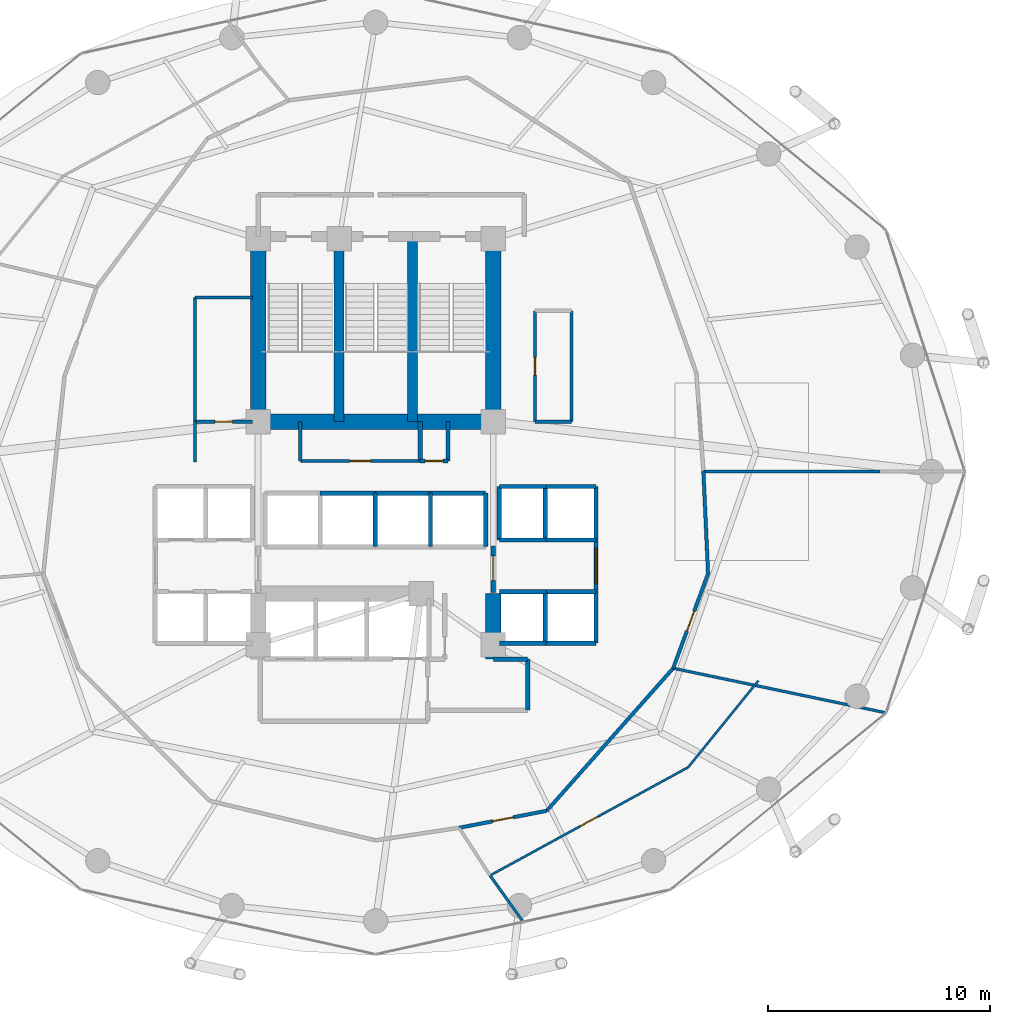
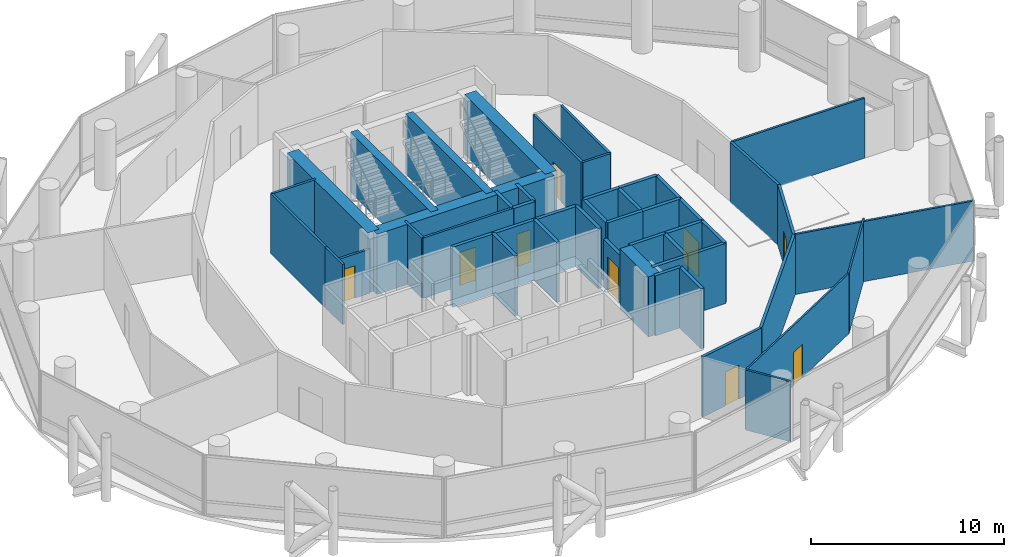
# One storey, part 22 of 24: 50 walls, 9 doors, 9 openings.
"""IFC4 building model written with IfcOpenShell, lengths in metres."""

from ifc_helpers import new_model, si_unit, direction, frame, frame_2d, origin, place, context, subcontext, project, spatial, rectangle, extrude, material, layer, layer_set, type_object, element, fill, save


model = new_model("IFC4")

# Units and contexts
model_context = context("Model", 3, precision=1e-05, world=origin(), true_north=direction((0.0, 1.0)))
body_context = subcontext(model_context, "Body", "Model", "MODEL_VIEW")
ifc_project = project(units=[si_unit("LENGTHUNIT", "METRE"), si_unit("AREAUNIT", "SQUARE_METRE"), si_unit("VOLUMEUNIT", "CUBIC_METRE"), si_unit("PLANEANGLEUNIT", "RADIAN"), si_unit("MASSUNIT", "GRAM", prefix="KILO")], contexts=[model_context])

# Site, building, storey
site_placement = place(None, origin())
site = spatial("IfcSite", under=ifc_project, at=site_placement, CompositionType="ELEMENT")
building_placement = place(site_placement, origin())
building = spatial("IfcBuilding", under=site, at=building_placement, Name="Nuhasar Tower", CompositionType="ELEMENT")
storey_placement = place(building_placement, frame((0.0, 0.0, 85.800048828125)))
storey = spatial("IfcBuildingStorey", under=building, at=storey_placement, Name="L20", CompositionType="ELEMENT", Elevation=85.800048828125)

# Walls
ifc_material_1 = material(Name="Concrete C50/60", Category="concrete")
ifc_layer_1 = layer(ifc_material_1, 0.449951171875)
ifc_layer_set_1 = layer_set([ifc_layer_1], Name="Concrete C50/60")
wall_type_1 = type_object("IfcWallType", Name="WL-CORE-450", PredefinedType="SHEAR", material=ifc_layer_set_1)
for number, where, z_axis, x_axis, name in (
    (1, (37.35009765625, 29.050048828125, 0.0), (0.0, 0.0, 1.0), (0.0, 1.0, 0.0), "L20 Stairwell Shear Wall ST01-E"),
    (2, (40.64990234375, 29.050048828125, 0.0), (0.0, 0.0, 1.0), (0.0, 1.0, 0.0), "L20 Stairwell Shear Wall ST03-E"),
):
    element("IfcWall", number, at=place(storey_placement, frame(where, z_axis=z_axis, x_axis=x_axis)), inside=storey, type_object=wall_type_1, Name=name, PredefinedType="SHEAR", context=body_context, shape_type="SweptSolid", body=[
        extrude(rectangle(XDim=8.349853515625, YDim=0.449951171875, at=frame_2d((4.1748046875, 0.0))), origin(), (0.0, 0.0, 1.0), 3.800048828125),
    ])
ifc_material_2 = material(Name="Concrete C65/80", Category="concrete")
ifc_layer_2 = layer(ifc_material_2, 0.699951171875)
ifc_layer_set_2 = layer_set([ifc_layer_2], Name="Concrete C65/80")
wall_type_2 = type_object("IfcWallType", Name="WL-CORE-700", PredefinedType="SHEAR", material=ifc_layer_set_2)
for number, where, z_axis, x_axis, name in (
    (3, (33.699951171875, 29.050048828125, 0.0), (0.0, 0.0, 1.0), (0.0, 1.0, 0.0), "L20 Core Shear Wall CW-NW CW-700"),
    (4, (44.300048828125, 29.050048828125, 0.0), (0.0, 0.0, 1.0), (0.0, 1.0, 0.0), "L20 Core Shear Wall CW-NE CW-700"),
):
    element("IfcWall", number, at=place(storey_placement, frame(where, z_axis=z_axis, x_axis=x_axis)), inside=storey, type_object=wall_type_2, Name=name, PredefinedType="SHEAR", context=body_context, shape_type="SweptSolid", body=[
        extrude(rectangle(XDim=8.349853515625, YDim=0.699951171875, at=frame_2d((4.1748046875, 0.0))), origin(), (0.0, 0.0, 1.0), 3.800048828125),
    ])
wall_1_placement = place(storey_placement, frame((44.300048828125, 18.35009765625, 0.0), z_axis=(0.0, 0.0, 1.0), x_axis=(0.0, 1.0, 0.0)))
element("IfcWall", 5, at=wall_1_placement, inside=storey, type_object=wall_type_2, Name="L20 Core Shear Wall CW-SE CW-700", PredefinedType="SHEAR", context=body_context, shape_type="SweptSolid", body=[
    extrude(rectangle(XDim=2.949951171875, YDim=0.699951171875, at=frame_2d((1.47509765625, 0.0))), origin(), (0.0, 0.0, 1.0), 3.800048828125),
])
wall_2_placement = place(storey_placement, frame((33.699951171875, 29.050048828125, 0.0), z_axis=(0.0, 0.0, 1.0), x_axis=(1.0, 0.0, 0.0)))
element("IfcWall", 6, at=wall_2_placement, inside=storey, type_object=wall_type_2, Name="L20 Core Shear Wall CW-N1 CW-700", PredefinedType="SHEAR", context=body_context, shape_type="SweptSolid", body=[
    extrude(rectangle(XDim=10.60009765625, YDim=0.699951171875, at=frame_2d((5.300048828125, 0.0))), origin(), (0.0, 0.0, 1.0), 3.800048828125),
])

# Wall, opening, door
ifc_material_3 = material(Name="Gypsum Board", Category="gypsum")
ifc_layer_3 = layer(ifc_material_3, 0.159912109375)
ifc_layer_set_3 = layer_set([ifc_layer_3], Name="Gypsum Board")
wall_type_3 = type_object("IfcWallType", Name="WL-CORR-160", PredefinedType="PARTITIONING", material=ifc_layer_set_3)
wall_3_placement = place(storey_placement, frame((46.7099609375, 11.513916015625, 0.0), z_axis=(0.0, 0.0, 1.0), x_axis=(-0.981643469131, -0.1907251937, 0.0)))
wall_3 = element("IfcWall", 7, at=wall_3_placement, inside=storey, type_object=wall_type_3, Name="L20 Interior Partition CORR-38", PredefinedType="PARTITIONING", context=body_context, shape_type="SweptSolid", body=[
    extrude(rectangle(XDim=4.02587890625, YDim=0.159912109375, at=frame_2d((2.012939453125, 0.0))), origin(), (0.0, 0.0, 1.0), 3.800048828125),
])
opening_1_placement = place(wall_3_placement, frame((1.5380859375, 0.0, 0.0)))
opening_1 = element("IfcOpeningElement", 8, at=opening_1_placement, cuts=wall_3, Name="Opening DO-01", PredefinedType="OPENING", context=body_context, shape_type="SweptSolid", body=[
    extrude(rectangle(XDim=0.949951171875, YDim=2.14990234375, at=frame_2d((0.47509765625, 1.074951171875))), frame((0.0, 0.08984375, 0.0), z_axis=(0.0, -1.0, 0.0), x_axis=(1.0, 0.0, 0.0)), (0.0, 0.0, 1.0), 0.179931640625),
])
ifc_material_4 = material(Name="Timber Oak", Category="wood")
door_type_1 = type_object("IfcDoorType", Name="DR-OFFICE-FD30-950", OperationType="NOTDEFINED", PredefinedType="DOOR", material=ifc_material_4)
door_1_placement = place(opening_1_placement, origin())
door_1 = element("IfcDoor", 9, at=door_1_placement, inside=storey, type_object=door_type_1, Name="L20 Press Briefing Room Entry Door", OperationType="SINGLE_SWING_LEFT", OverallHeight=2.14990234375, OverallWidth=0.949951171875, PredefinedType="DOOR", context=body_context, shape_type="SweptSolid", body=[
    extrude(rectangle(XDim=0.949951171875, YDim=2.14990234375, at=frame_2d((0.47509765625, 1.074951171875))), frame((0.0, 0.02490234375, 0.0), z_axis=(0.0, -1.0, 0.0), x_axis=(1.0, 0.0, 0.0)), (0.0, 0.0, 1.0), 0.050048828125),
])
fill(opening_1, door_1)

# Wall
wall_4_placement = place(storey_placement, frame((46.7099609375, 11.513916015625, 0.0), z_axis=(0.0, 0.0, 1.0), x_axis=(0.663571234799, 0.74811310398, 0.0)))
element("IfcWall", 10, at=wall_4_placement, inside=storey, type_object=wall_type_3, Name="L20 Interior Partition CORR-40", PredefinedType="PARTITIONING", context=body_context, shape_type="SweptSolid", body=[
    extrude(rectangle(XDim=8.58837890625, YDim=0.159912109375, at=frame_2d((4.294189453125, 0.0))), origin(), (0.0, 0.0, 1.0), 3.800048828125),
])

# Wall, opening, door
wall_5_placement = place(storey_placement, frame((53.98095703125, 22.205078125, 0.0), z_axis=(0.0, 0.0, 1.0), x_axis=(-0.345762592588, -0.938322028712, 0.0)))
wall_5 = element("IfcWall", 11, at=wall_5_placement, inside=storey, type_object=wall_type_3, Name="L20 Interior Partition CORR-44", PredefinedType="PARTITIONING", context=body_context, shape_type="SweptSolid", body=[
    extrude(rectangle(XDim=4.546630859375, YDim=0.159912109375, at=frame_2d((2.2734375, 0.0))), origin(), (0.0, 0.0, 1.0), 3.800048828125),
])
opening_2_placement = place(wall_5_placement, frame((1.798095703125, 0.0, 0.0)))
opening_2 = element("IfcOpeningElement", 12, at=opening_2_placement, cuts=wall_5, Name="Opening DO-01", PredefinedType="OPENING", context=body_context, shape_type="SweptSolid", body=[
    extrude(rectangle(XDim=0.949951171875, YDim=2.14990234375, at=frame_2d((0.47509765625, 1.074951171875))), frame((0.0, 0.08984375, 0.0), z_axis=(0.0, -1.0, 0.0), x_axis=(1.0, 0.0, 0.0)), (0.0, 0.0, 1.0), 0.179931640625),
])
door_2_placement = place(opening_2_placement, origin())
door_2 = element("IfcDoor", 13, at=door_2_placement, inside=storey, type_object=door_type_1, Name="L20 Diplomatic Registry Store Entry Door", OperationType="SINGLE_SWING_LEFT", OverallHeight=2.14990234375, OverallWidth=0.949951171875, PredefinedType="DOOR", context=body_context, shape_type="SweptSolid", body=[
    extrude(rectangle(XDim=0.949951171875, YDim=2.14990234375, at=frame_2d((0.47509765625, 1.074951171875))), frame((0.0, 0.02490234375, 0.0), z_axis=(0.0, -1.0, 0.0), x_axis=(1.0, 0.0, 0.0)), (0.0, 0.0, 1.0), 0.050048828125),
])
fill(opening_2, door_2)

# Wall
wall_6_placement = place(storey_placement, frame((53.98095703125, 22.205078125, 0.0), z_axis=(0.0, 0.0, 1.0), x_axis=(-0.045857874173, 0.998947974309, 0.0)))
element("IfcWall", 14, at=wall_6_placement, inside=storey, type_object=wall_type_3, Name="L20 Interior Partition CORR-46", PredefinedType="PARTITIONING", context=body_context, shape_type="SweptSolid", body=[
    extrude(rectangle(XDim=4.599853515625, YDim=0.159912109375, at=frame_2d((2.2998046875, 0.0))), origin(), (0.0, 0.0, 1.0), 3.800048828125),
])

# Wall, opening, door
ifc_material_5 = material(Name="Concrete C45/55", Category="concrete")
ifc_layer_4 = layer(ifc_material_5, 0.199951171875)
ifc_layer_set_4 = layer_set([ifc_layer_4], Name="Concrete C45/55")
wall_type_4 = type_object("IfcWallType", Name="WL-LOBBY-200", PredefinedType="SOLIDWALL", material=ifc_layer_set_4)
wall_7_placement = place(storey_placement, frame((48.929931640625, 21.3798828125, 0.0), z_axis=(0.0, 0.0, 1.0), x_axis=(0.0, 1.0, 0.0)))
wall_7 = element("IfcWall", 15, at=wall_7_placement, inside=storey, type_object=wall_type_4, Name="L20 Interior Partition LLBM-E", PredefinedType="SOLIDWALL", context=body_context, shape_type="SweptSolid", body=[
    extrude(rectangle(XDim=2.340087890625, YDim=0.199951171875, at=frame_2d((1.169921875, 0.0))), origin(), (0.0, 0.0, 1.0), 3.800048828125),
])
opening_3_placement = place(wall_7_placement, frame((0.3701171875, 0.0, 0.0)))
opening_3 = element("IfcOpeningElement", 16, at=opening_3_placement, cuts=wall_7, Name="Opening DC-01", PredefinedType="OPENING", context=body_context, shape_type="SweptSolid", body=[
    extrude(rectangle(XDim=1.60009765625, YDim=2.199951171875, at=frame_2d((0.800048828125, 1.10009765625))), frame((0.0, 0.10986328125, 0.0), z_axis=(0.0, -1.0, 0.0), x_axis=(1.0, 0.0, 0.0)), (0.0, 0.0, 1.0), 0.219970703125),
])
ifc_material_6 = material(Name="Steel S355", Category="steel")
door_type_2 = type_object("IfcDoorType", Name="DR-CORR-FD60-1600", OperationType="DOUBLE_DOOR_SINGLE_SWING", PredefinedType="DOOR", material=ifc_material_6)
door_3_placement = place(opening_3_placement, origin())
door_3 = element("IfcDoor", 17, at=door_3_placement, inside=storey, type_object=door_type_2, Name="L20 Mid-Rise Lift Lobby East Entry", OperationType="DOUBLE_DOOR_SINGLE_SWING", OverallHeight=2.199951171875, OverallWidth=1.60009765625, PredefinedType="DOOR", context=body_context, shape_type="SweptSolid", body=[
    extrude(rectangle(XDim=1.60009765625, YDim=2.199951171875, at=frame_2d((0.800048828125, 1.10009765625))), frame((0.0, 0.02490234375, 0.0), z_axis=(0.0, -1.0, 0.0), x_axis=(1.0, 0.0, 0.0)), (0.0, 0.0, 1.0), 0.050048828125),
])
fill(opening_3, door_3)

wall_8_placement = place(storey_placement, frame((44.300048828125, 21.35009765625, 0.0), z_axis=(0.0, 0.0, 1.0), x_axis=(0.0, 1.0, 0.0)))
wall_8 = element("IfcWall", 18, at=wall_8_placement, inside=storey, type_object=wall_type_4, Name="L20 Interior Partition LLBH-E", PredefinedType="SOLIDWALL", context=body_context, shape_type="SweptSolid", body=[
    extrude(rectangle(XDim=2.099853515625, YDim=0.199951171875, at=frame_2d((1.0498046875, 0.0))), origin(), (0.0, 0.0, 1.0), 3.02001953125),
])
opening_4_placement = place(wall_8_placement, frame((0.550048828125, 0.0, 0.0)))
opening_4 = element("IfcOpeningElement", 19, at=opening_4_placement, cuts=wall_8, Name="Opening DS-02", PredefinedType="OPENING", context=body_context, shape_type="SweptSolid", body=[
    extrude(rectangle(XDim=1.10009765625, YDim=2.14990234375, at=frame_2d((0.550048828125, 1.074951171875))), frame((0.0, 0.10986328125, 0.0), z_axis=(0.0, -1.0, 0.0), x_axis=(1.0, 0.0, 0.0)), (0.0, 0.0, 1.0), 0.219970703125),
])
door_type_3 = type_object("IfcDoorType", Name="DR-FFL-FD120-1100", OperationType="NOTDEFINED", PredefinedType="DOOR", material=ifc_material_6)
door_4_placement = place(opening_4_placement, origin())
door_4 = element("IfcDoor", 20, at=door_4_placement, inside=storey, type_object=door_type_3, Name="L20 High-Rise Lobby East Door", OperationType="SINGLE_SWING_RIGHT", OverallHeight=2.14990234375, OverallWidth=1.10009765625, PredefinedType="DOOR", context=body_context, shape_type="SweptSolid", body=[
    extrude(rectangle(XDim=1.10009765625, YDim=2.14990234375, at=frame_2d((0.550048828125, 1.074951171875))), frame((0.0, 0.02490234375, 0.0), z_axis=(0.0, -1.0, 0.0), x_axis=(1.0, 0.0, 0.0)), (0.0, 0.0, 1.0), 0.050048828125),
])
fill(opening_4, door_4)

# Walls
wall_9_placement = place(storey_placement, frame((45.85009765625, 16.050048828125, 0.0), z_axis=(0.0, 0.0, 1.0), x_axis=(0.0, 1.0, 0.0)))
element("IfcWall", 21, at=wall_9_placement, inside=storey, type_object=wall_type_4, Name="L20 Interior Partition SVLV-E", PredefinedType="SOLIDWALL", context=body_context, shape_type="SweptSolid", body=[
    extrude(rectangle(XDim=2.300048828125, YDim=0.199951171875, at=frame_2d((1.14990234375, 0.0))), origin(), (0.0, 0.0, 1.0), 3.800048828125),
])
wall_10_placement = place(storey_placement, frame((44.300048828125, 18.35009765625, 0.0), z_axis=(0.0, 0.0, 1.0), x_axis=(1.0, 0.0, 0.0)))
element("IfcWall", 22, at=wall_10_placement, inside=storey, type_object=wall_type_4, Name="L20 Interior Partition SVLV-N", PredefinedType="SOLIDWALL", context=body_context, shape_type="SweptSolid", body=[
    extrude(rectangle(XDim=1.550048828125, YDim=0.199951171875, at=frame_2d((0.77490234375, 0.0))), origin(), (0.0, 0.0, 1.0), 3.800048828125),
])

# Wall, opening, door
ifc_material_7 = material(Name="Aluminium 6063-T6", Category="aluminium")
ifc_layer_5 = layer(ifc_material_7, 0.10009765625)
ifc_layer_set_5 = layer_set([ifc_layer_5], Name="Aluminium 6063-T6")
wall_type_5 = type_object("IfcWallType", Name="WL-MOVABLE-100", PredefinedType="MOVABLE", material=ifc_layer_set_5)
wall_11_placement = place(storey_placement, frame((53.083984375, 13.47509765625, 0.0), z_axis=(0.0, 0.0, 1.0), x_axis=(-0.877612050375, -0.479371556349, 0.0)))
wall_11 = element("IfcWall", 23, at=wall_11_placement, inside=storey, type_object=wall_type_5, Name="L20 Interior Partition OMID-05-38", PredefinedType="MOVABLE", context=body_context, shape_type="SweptSolid", body=[
    extrude(rectangle(XDim=10.174072265625, YDim=0.10009765625, at=frame_2d((5.0869140625, 0.0))), origin(), (0.0, 0.0, 1.0), 3.800048828125),
])
opening_5_placement = place(wall_11_placement, frame((4.636962890625, 0.0, 0.0)))
opening_5 = element("IfcOpeningElement", 24, at=opening_5_placement, cuts=wall_11, Name="Opening DR-01", PredefinedType="OPENING", context=body_context, shape_type="SweptSolid", body=[
    extrude(rectangle(XDim=0.89990234375, YDim=2.10009765625, at=frame_2d((0.449951171875, 1.050048828125))), frame((0.0, 0.06005859375, 0.0), z_axis=(0.0, -1.0, 0.0), x_axis=(1.0, 0.0, 0.0)), (0.0, 0.0, 1.0), 0.1201171875),
])
door_type_4 = type_object("IfcDoorType", Name="DR-ROOM-900", OperationType="NOTDEFINED", PredefinedType="DOOR", material=ifc_material_4)
door_5_placement = place(opening_5_placement, origin())
door_5 = element("IfcDoor", 25, at=door_5_placement, inside=storey, type_object=door_type_4, Name="L20 Press Briefing Room Inner Door", OperationType="SINGLE_SWING_LEFT", OverallHeight=2.10009765625, OverallWidth=0.89990234375, PredefinedType="DOOR", context=body_context, shape_type="SweptSolid", body=[
    extrude(rectangle(XDim=0.89990234375, YDim=2.10009765625, at=frame_2d((0.449951171875, 1.050048828125))), frame((0.0, 0.02490234375, 0.0), z_axis=(0.0, -1.0, 0.0), x_axis=(1.0, 0.0, 0.0)), (0.0, 0.0, 1.0), 0.050048828125),
])
fill(opening_5, door_5)

# Walls
wall_12_placement = place(storey_placement, frame((53.083984375, 13.47509765625, 0.0), z_axis=(0.0, 0.0, 1.0), x_axis=(0.62987167678, 0.776699215134, 0.0)))
element("IfcWall", 26, at=wall_12_placement, inside=storey, type_object=wall_type_5, Name="L20 Interior Partition OMID-05-42", PredefinedType="MOVABLE", context=body_context, shape_type="SweptSolid", body=[
    extrude(rectangle(XDim=5.02490234375, YDim=0.10009765625, at=frame_2d((2.512451171875, 0.0))), origin(), (0.0, 0.0, 1.0), 3.800048828125),
])
ifc_layer_6 = layer(ifc_material_3, 0.125)
ifc_layer_set_6 = layer_set([ifc_layer_6], Name="Gypsum Board")
wall_type_6 = type_object("IfcWallType", Name="WL-PART-125", PredefinedType="PARTITIONING", material=ifc_layer_set_6)
wall_13_placement = place(storey_placement, frame((53.77001953125, 26.800048828125, 0.0), z_axis=(0.0, 0.0, 1.0), x_axis=(1.0, 0.0, 0.0)))
element("IfcWall", 27, at=wall_13_placement, inside=storey, type_object=wall_type_6, Name="L20 Interior Partition ORAD-00", PredefinedType="PARTITIONING", context=body_context, shape_type="SweptSolid", body=[
    extrude(rectangle(XDim=7.9599609375, YDim=0.125, at=frame_2d((3.97998046875, 0.0))), origin(), (0.0, 0.0, 1.0), 3.800048828125),
])
wall_14_placement = place(storey_placement, frame((44.155029296875, 8.597900390625, 0.0), z_axis=(0.0, 0.0, 1.0), x_axis=(0.581238193719, -0.813733471207, 0.0)))
element("IfcWall", 28, at=wall_14_placement, inside=storey, type_object=wall_type_6, Name="L20 Interior Partition ORAD-38-S2", PredefinedType="PARTITIONING", context=body_context, shape_type="SweptSolid", body=[
    extrude(rectangle(XDim=2.541259765625, YDim=0.125, at=frame_2d((1.2705078125, 0.0))), origin(), (0.0, 0.0, 1.0), 3.800048828125),
])
wall_15_placement = place(storey_placement, frame((52.408935546875, 17.93896484375, 0.0), z_axis=(0.0, 0.0, 1.0), x_axis=(0.978778270652, -0.204922172786, 0.0)))
element("IfcWall", 29, at=wall_15_placement, inside=storey, type_object=wall_type_6, Name="L20 Interior Partition ORAD-44", PredefinedType="PARTITIONING", context=body_context, shape_type="SweptSolid", body=[
    extrude(rectangle(XDim=9.769287109375, YDim=0.125, at=frame_2d((4.884765625, 0.0))), origin(), (0.0, 0.0, 1.0), 3.800048828125),
])
ifc_layer_7 = layer(ifc_material_5, 0.199951171875)
ifc_layer_set_7 = layer_set([ifc_layer_7], Name="Concrete C45/55")
wall_type_7 = type_object("IfcWallType", Name="WL-SHAFT-200", PredefinedType="SOLIDWALL", material=ifc_layer_set_7)
for number, where, z_axis, x_axis, name in (
    (30, (41.0, 27.280029296875, 0.0), (0.0, 0.0, 1.0), (0.0, 1.0, 0.0), "L20 Interior Partition RSRN-W"),
    (31, (42.260009765625, 27.280029296875, 0.0), (0.0, 0.0, 1.0), (0.0, 1.0, 0.0), "L20 Interior Partition RSRN-E"),
):
    element("IfcWall", number, at=place(storey_placement, frame(where, z_axis=z_axis, x_axis=x_axis)), inside=storey, type_object=wall_type_7, Name=name, PredefinedType="SOLIDWALL", context=body_context, shape_type="SweptSolid", body=[
        extrude(rectangle(XDim=1.77001953125, YDim=0.199951171875, at=frame_2d((0.885009765625, 0.0))), origin(), (0.0, 0.0, 1.0), 3.800048828125),
    ])

# Wall, opening, door
wall_16_placement = place(storey_placement, frame((41.0, 27.280029296875, 0.0), z_axis=(0.0, 0.0, 1.0), x_axis=(1.0, 0.0, 0.0)))
wall_16 = element("IfcWall", 32, at=wall_16_placement, inside=storey, type_object=wall_type_7, Name="L20 Interior Partition RSRN-S", PredefinedType="SOLIDWALL", context=body_context, shape_type="SweptSolid", body=[
    extrude(rectangle(XDim=1.260009765625, YDim=0.199951171875, at=frame_2d((0.6298828125, 0.0))), origin(), (0.0, 0.0, 1.0), 3.800048828125),
])
opening_6_placement = place(wall_16_placement, frame((0.22998046875, 0.0, 0.0)))
opening_6 = element("IfcOpeningElement", 33, at=opening_6_placement, cuts=wall_16, Name="Opening DM-01", PredefinedType="OPENING", context=body_context, shape_type="SweptSolid", body=[
    extrude(rectangle(XDim=0.800048828125, YDim=2.050048828125, at=frame_2d((0.39990234375, 1.02490234375))), frame((0.0, 0.10986328125, 0.0), z_axis=(0.0, -1.0, 0.0), x_axis=(1.0, 0.0, 0.0)), (0.0, 0.0, 1.0), 0.219970703125),
])
door_type_5 = type_object("IfcDoorType", Name="DR-RISER-FD60-800", OperationType="NOTDEFINED", PredefinedType="DOOR", material=ifc_material_6)
door_6_placement = place(opening_6_placement, origin())
door_6 = element("IfcDoor", 34, at=door_6_placement, inside=storey, type_object=door_type_5, Name="L20 North Smoke Riser Door", OperationType="SINGLE_SWING_RIGHT", OverallHeight=2.050048828125, OverallWidth=0.800048828125, PredefinedType="DOOR", context=body_context, shape_type="SweptSolid", body=[
    extrude(rectangle(XDim=0.800048828125, YDim=2.050048828125, at=frame_2d((0.39990234375, 1.02490234375))), frame((0.0, 0.02490234375, 0.0), z_axis=(0.0, -1.0, 0.0), x_axis=(1.0, 0.0, 0.0)), (0.0, 0.0, 1.0), 0.050048828125),
])
fill(opening_6, door_6)

# Walls
for number, where, z_axis, x_axis, name in (
    (35, (44.570068359375, 23.719970703125, 0.0), (0.0, 0.0, 1.0), (1.0, 0.0, 0.0), "L20 Interior Partition SHF-PL-M01-S"),
    (36, (44.570068359375, 26.1298828125, 0.0), (0.0, 0.0, 1.0), (1.0, 0.0, 0.0), "L20 Interior Partition SHF-PL-M01-N"),
):
    element("IfcWall", number, at=place(storey_placement, frame(where, z_axis=z_axis, x_axis=x_axis)), inside=storey, type_object=wall_type_7, Name=name, PredefinedType="SOLIDWALL", context=body_context, shape_type="SweptSolid", body=[
        extrude(rectangle(XDim=2.10986328125, YDim=0.199951171875, at=frame_2d((1.054931640625, 0.0))), origin(), (0.0, 0.0, 1.0), 3.800048828125),
    ])
for number, where, z_axis, x_axis, name in (
    (37, (44.570068359375, 23.719970703125, 0.0), (0.0, 0.0, 1.0), (0.0, 1.0, 0.0), "L20 Interior Partition SHF-PL-M01-W"),
    (38, (46.64990234375, 23.719970703125, 0.0), (0.0, 0.0, 1.0), (0.0, 1.0, 0.0), "L20 Interior Partition SHF-PL-M01-E"),
):
    element("IfcWall", number, at=place(storey_placement, frame(where, z_axis=z_axis, x_axis=x_axis)), inside=storey, type_object=wall_type_7, Name=name, PredefinedType="SOLIDWALL", context=body_context, shape_type="SweptSolid", body=[
        extrude(rectangle(XDim=2.409912109375, YDim=0.199951171875, at=frame_2d((1.205078125, 0.0))), origin(), (0.0, 0.0, 1.0), 3.800048828125),
    ])
for number, where, z_axis, x_axis, name in (
    (39, (46.6201171875, 23.719970703125, 0.0), (0.0, 0.0, 1.0), (1.0, 0.0, 0.0), "L20 Interior Partition SHF-PL-M02-S"),
    (40, (46.6201171875, 26.1298828125, 0.0), (0.0, 0.0, 1.0), (1.0, 0.0, 0.0), "L20 Interior Partition SHF-PL-M02-N"),
):
    element("IfcWall", number, at=place(storey_placement, frame(where, z_axis=z_axis, x_axis=x_axis)), inside=storey, type_object=wall_type_7, Name=name, PredefinedType="SOLIDWALL", context=body_context, shape_type="SweptSolid", body=[
        extrude(rectangle(XDim=2.309814453125, YDim=0.199951171875, at=frame_2d((1.15478515625, 0.0))), origin(), (0.0, 0.0, 1.0), 3.800048828125),
    ])
wall_17_placement = place(storey_placement, frame((48.929931640625, 23.719970703125, 0.0), z_axis=(0.0, 0.0, 1.0), x_axis=(0.0, 1.0, 0.0)))
element("IfcWall", 41, at=wall_17_placement, inside=storey, type_object=wall_type_7, Name="L20 Interior Partition SHF-PL-M02-E", PredefinedType="SOLIDWALL", context=body_context, shape_type="SweptSolid", body=[
    extrude(rectangle(XDim=2.409912109375, YDim=0.199951171875, at=frame_2d((1.205078125, 0.0))), origin(), (0.0, 0.0, 1.0), 3.800048828125),
])
for number, where, z_axis, x_axis, name in (
    (42, (44.570068359375, 19.070068359375, 0.0), (0.0, 0.0, 1.0), (1.0, 0.0, 0.0), "L20 Interior Partition SHF-PL-M03-S"),
    (43, (44.570068359375, 21.3798828125, 0.0), (0.0, 0.0, 1.0), (1.0, 0.0, 0.0), "L20 Interior Partition SHF-PL-M03-N"),
):
    element("IfcWall", number, at=place(storey_placement, frame(where, z_axis=z_axis, x_axis=x_axis)), inside=storey, type_object=wall_type_7, Name=name, PredefinedType="SOLIDWALL", context=body_context, shape_type="SweptSolid", body=[
        extrude(rectangle(XDim=2.10986328125, YDim=0.199951171875, at=frame_2d((1.054931640625, 0.0))), origin(), (0.0, 0.0, 1.0), 3.800048828125),
    ])
for number, where, z_axis, x_axis, name in (
    (44, (46.64990234375, 19.070068359375, 0.0), (0.0, 0.0, 1.0), (0.0, 1.0, 0.0), "L20 Interior Partition SHF-PL-M03-E"),
    (45, (46.6201171875, 19.070068359375, 0.0), (0.0, 0.0, 1.0), (1.0, 0.0, 0.0), "L20 Interior Partition SHF-PL-M04-S"),
    (46, (46.6201171875, 21.3798828125, 0.0), (0.0, 0.0, 1.0), (1.0, 0.0, 0.0), "L20 Interior Partition SHF-PL-M04-N"),
    (47, (48.929931640625, 19.070068359375, 0.0), (0.0, 0.0, 1.0), (0.0, 1.0, 0.0), "L20 Interior Partition SHF-PL-M04-E"),
):
    element("IfcWall", number, at=place(storey_placement, frame(where, z_axis=z_axis, x_axis=x_axis)), inside=storey, type_object=wall_type_7, Name=name, PredefinedType="SOLIDWALL", context=body_context, shape_type="SweptSolid", body=[
        extrude(rectangle(XDim=2.309814453125, YDim=0.199951171875, at=frame_2d((1.15478515625, 0.0))), origin(), (0.0, 0.0, 1.0), 3.800048828125),
    ])
wall_18_placement = place(storey_placement, frame((36.5, 25.830078125, 0.0), z_axis=(0.0, 0.0, 1.0), x_axis=(1.0, 0.0, 0.0)))
element("IfcWall", 48, at=wall_18_placement, inside=storey, type_object=wall_type_7, Name="L20 Interior Partition SHF-PL-H02-N", PredefinedType="SOLIDWALL", context=body_context, shape_type="SweptSolid", body=[
    extrude(rectangle(XDim=2.5, YDim=0.199951171875, at=frame_2d((1.25, 0.0))), origin(), (0.0, 0.0, 1.0), 3.800048828125),
])
wall_19_placement = place(storey_placement, frame((38.989990234375, 23.419921875, 0.0), z_axis=(0.0, 0.0, 1.0), x_axis=(0.0, 1.0, 0.0)))
element("IfcWall", 49, at=wall_19_placement, inside=storey, type_object=wall_type_7, Name="L20 Interior Partition SHF-PL-H02-E", PredefinedType="SOLIDWALL", context=body_context, shape_type="SweptSolid", body=[
    extrude(rectangle(XDim=2.41015625, YDim=0.199951171875, at=frame_2d((1.205078125, 0.0))), origin(), (0.0, 0.0, 1.0), 3.800048828125),
])
wall_20_placement = place(storey_placement, frame((38.97998046875, 25.830078125, 0.0), z_axis=(0.0, 0.0, 1.0), x_axis=(1.0, 0.0, 0.0)))
element("IfcWall", 50, at=wall_20_placement, inside=storey, type_object=wall_type_7, Name="L20 Interior Partition SHF-PL-H03-N", PredefinedType="SOLIDWALL", context=body_context, shape_type="SweptSolid", body=[
    extrude(rectangle(XDim=2.5, YDim=0.199951171875, at=frame_2d((1.25, 0.0))), origin(), (0.0, 0.0, 1.0), 3.800048828125),
])
wall_21_placement = place(storey_placement, frame((41.469970703125, 23.419921875, 0.0), z_axis=(0.0, 0.0, 1.0), x_axis=(0.0, 1.0, 0.0)))
element("IfcWall", 51, at=wall_21_placement, inside=storey, type_object=wall_type_7, Name="L20 Interior Partition SHF-PL-H03-E", PredefinedType="SOLIDWALL", context=body_context, shape_type="SweptSolid", body=[
    extrude(rectangle(XDim=2.41015625, YDim=0.199951171875, at=frame_2d((1.205078125, 0.0))), origin(), (0.0, 0.0, 1.0), 3.800048828125),
])
wall_22_placement = place(storey_placement, frame((41.4599609375, 25.830078125, 0.0), z_axis=(0.0, 0.0, 1.0), x_axis=(1.0, 0.0, 0.0)))
element("IfcWall", 52, at=wall_22_placement, inside=storey, type_object=wall_type_7, Name="L20 Interior Partition SHF-PL-H04-N", PredefinedType="SOLIDWALL", context=body_context, shape_type="SweptSolid", body=[
    extrude(rectangle(XDim=2.5, YDim=0.199951171875, at=frame_2d((1.25, 0.0))), origin(), (0.0, 0.0, 1.0), 3.800048828125),
])
wall_23_placement = place(storey_placement, frame((43.9599609375, 23.419921875, 0.0), z_axis=(0.0, 0.0, 1.0), x_axis=(0.0, 1.0, 0.0)))
element("IfcWall", 53, at=wall_23_placement, inside=storey, type_object=wall_type_7, Name="L20 Interior Partition SHF-PL-H04-E", PredefinedType="SOLIDWALL", context=body_context, shape_type="SweptSolid", body=[
    extrude(rectangle(XDim=2.41015625, YDim=0.199951171875, at=frame_2d((1.205078125, 0.0))), origin(), (0.0, 0.0, 1.0), 3.800048828125),
])
ifc_material_8 = material(Name="Concrete C40/50 precast", Category="concrete")
ifc_layer_8 = layer(ifc_material_8, 0.139892578125)
ifc_layer_set_8 = layer_set([ifc_layer_8], Name="Concrete C40/50 precast")
wall_type_8 = type_object("IfcWallType", Name="WL-WET-140", PredefinedType="PARTITIONING", material=ifc_layer_set_8)
wall_24_placement = place(storey_placement, frame((35.60009765625, 27.280029296875, 0.0), z_axis=(0.0, 0.0, 1.0), x_axis=(0.0, 1.0, 0.0)))
element("IfcWall", 54, at=wall_24_placement, inside=storey, type_object=wall_type_8, Name="L20 Interior Partition CSVC-W", PredefinedType="PARTITIONING", context=body_context, shape_type="SweptSolid", body=[
    extrude(rectangle(XDim=1.77001953125, YDim=0.139892578125, at=frame_2d((0.885009765625, 0.0))), origin(), (0.0, 0.0, 1.0), 3.800048828125),
])

# Wall, opening, door
wall_25_placement = place(storey_placement, frame((35.60009765625, 27.280029296875, 0.0), z_axis=(0.0, 0.0, 1.0), x_axis=(1.0, 0.0, 0.0)))
wall_25 = element("IfcWall", 55, at=wall_25_placement, inside=storey, type_object=wall_type_8, Name="L20 Interior Partition CSVC-S", PredefinedType="PARTITIONING", context=body_context, shape_type="SweptSolid", body=[
    extrude(rectangle(XDim=5.39990234375, YDim=0.139892578125, at=frame_2d((2.699951171875, 0.0))), origin(), (0.0, 0.0, 1.0), 3.800048828125),
])
opening_7_placement = place(wall_25_placement, frame((2.22509765625, 0.0, 0.0)))
opening_7 = element("IfcOpeningElement", 56, at=opening_7_placement, cuts=wall_25, Name="Opening DA-01", PredefinedType="OPENING", context=body_context, shape_type="SweptSolid", body=[
    extrude(rectangle(XDim=0.949951171875, YDim=2.10009765625, at=frame_2d((0.47509765625, 1.050048828125))), frame((0.0, 0.080078125, 0.0), z_axis=(0.0, -1.0, 0.0), x_axis=(1.0, 0.0, 0.0)), (0.0, 0.0, 1.0), 0.159912109375),
])
door_type_6 = type_object("IfcDoorType", Name="DR-ACCWC-950", OperationType="NOTDEFINED", PredefinedType="DOOR", material=ifc_material_4)
door_7_placement = place(opening_7_placement, origin())
door_7 = element("IfcDoor", 57, at=door_7_placement, inside=storey, type_object=door_type_6, Name="L20 Core Accessible Restroom Door", OperationType="SINGLE_SWING_RIGHT", OverallHeight=2.10009765625, OverallWidth=0.949951171875, PredefinedType="DOOR", context=body_context, shape_type="SweptSolid", body=[
    extrude(rectangle(XDim=0.949951171875, YDim=2.10009765625, at=frame_2d((0.47509765625, 1.050048828125))), frame((0.0, 0.02490234375, 0.0), z_axis=(0.0, -1.0, 0.0), x_axis=(1.0, 0.0, 0.0)), (0.0, 0.0, 1.0), 0.050048828125),
])
fill(opening_7, door_7)

# Wall
wall_26_placement = place(storey_placement, frame((30.85009765625, 27.239990234375, 0.0), z_axis=(0.0, 0.0, 1.0), x_axis=(0.0, 1.0, 0.0)))
element("IfcWall", 58, at=wall_26_placement, inside=storey, type_object=wall_type_8, Name="L20 Interior Partition K3-FOY-W", PredefinedType="PARTITIONING", context=body_context, shape_type="SweptSolid", body=[
    extrude(rectangle(XDim=1.81005859375, YDim=0.139892578125, at=frame_2d((0.905029296875, 0.0))), origin(), (0.0, 0.0, 1.0), 3.800048828125),
])

# Wall, opening, door
wall_27_placement = place(storey_placement, frame((30.85009765625, 29.050048828125, 0.0), z_axis=(0.0, 0.0, 1.0), x_axis=(1.0, 0.0, 0.0)))
wall_27 = element("IfcWall", 59, at=wall_27_placement, inside=storey, type_object=wall_type_8, Name="L20 Interior Partition K3-NW-S", PredefinedType="PARTITIONING", context=body_context, shape_type="SweptSolid", body=[
    extrude(rectangle(XDim=2.599853515625, YDim=0.139892578125, at=frame_2d((1.2998046875, 0.0))), origin(), (0.0, 0.0, 1.0), 2.7900390625),
])
opening_8_placement = place(wall_27_placement, frame((0.89990234375, 0.0, 0.0)))
opening_8 = element("IfcOpeningElement", 60, at=opening_8_placement, cuts=wall_27, Name="Opening DM-01", PredefinedType="OPENING", context=body_context, shape_type="SweptSolid", body=[
    extrude(rectangle(XDim=0.800048828125, YDim=2.050048828125, at=frame_2d((0.39990234375, 1.02490234375))), frame((0.0, 0.080078125, 0.0), z_axis=(0.0, -1.0, 0.0), x_axis=(1.0, 0.0, 0.0)), (0.0, 0.0, 1.0), 0.159912109375),
])
door_8_placement = place(opening_8_placement, origin())
door_8 = element("IfcDoor", 61, at=door_8_placement, inside=storey, type_object=door_type_5, Name="L20 NW Electrical Room Door", OperationType="SINGLE_SWING_RIGHT", OverallHeight=2.050048828125, OverallWidth=0.800048828125, PredefinedType="DOOR", context=body_context, shape_type="SweptSolid", body=[
    extrude(rectangle(XDim=0.800048828125, YDim=2.050048828125, at=frame_2d((0.39990234375, 1.02490234375))), frame((0.0, 0.02490234375, 0.0), z_axis=(0.0, -1.0, 0.0), x_axis=(1.0, 0.0, 0.0)), (0.0, 0.0, 1.0), 0.050048828125),
])
fill(opening_8, door_8)

# Walls
wall_28_placement = place(storey_placement, frame((30.85009765625, 34.64990234375, 0.0), z_axis=(0.0, 0.0, 1.0), x_axis=(1.0, 0.0, 0.0)))
element("IfcWall", 62, at=wall_28_placement, inside=storey, type_object=wall_type_8, Name="L20 Interior Partition K3-NW-N", PredefinedType="PARTITIONING", context=body_context, shape_type="SweptSolid", body=[
    extrude(rectangle(XDim=2.599853515625, YDim=0.139892578125, at=frame_2d((1.2998046875, 0.0))), origin(), (0.0, 0.0, 1.0), 3.800048828125),
])
wall_29_placement = place(storey_placement, frame((30.85009765625, 29.050048828125, 0.0), z_axis=(0.0, 0.0, 1.0), x_axis=(0.0, 1.0, 0.0)))
element("IfcWall", 63, at=wall_29_placement, inside=storey, type_object=wall_type_8, Name="L20 Interior Partition K3-NW-W", PredefinedType="PARTITIONING", context=body_context, shape_type="SweptSolid", body=[
    extrude(rectangle(XDim=5.599853515625, YDim=0.139892578125, at=frame_2d((2.7998046875, 0.0))), origin(), (0.0, 0.0, 1.0), 3.800048828125),
])

# Wall, opening, door
wall_30_placement = place(storey_placement, frame((46.179931640625, 34.050048828125, 0.0), z_axis=(0.0, 0.0, 1.0), x_axis=(0.0, -1.0, 0.0)))
wall_30 = element("IfcWall", 64, at=wall_30_placement, inside=storey, type_object=wall_type_8, Name="L20 Interior Partition K3-NE-W", PredefinedType="PARTITIONING", context=body_context, shape_type="SweptSolid", body=[
    extrude(rectangle(XDim=5.0, YDim=0.139892578125, at=frame_2d((2.5, 0.0))), origin(), (0.0, 0.0, 1.0), 3.800048828125),
])
opening_9_placement = place(wall_30_placement, frame((2.10009765625, 0.0, 0.0)))
opening_9 = element("IfcOpeningElement", 65, at=opening_9_placement, cuts=wall_30, Name="Opening DM-01", PredefinedType="OPENING", context=body_context, shape_type="SweptSolid", body=[
    extrude(rectangle(XDim=0.800048828125, YDim=2.050048828125, at=frame_2d((0.39990234375, 1.02490234375))), frame((0.0, 0.080078125, 0.0), z_axis=(0.0, -1.0, 0.0), x_axis=(1.0, 0.0, 0.0)), (0.0, 0.0, 1.0), 0.159912109375),
])
door_9_placement = place(opening_9_placement, origin())
door_9 = element("IfcDoor", 66, at=door_9_placement, inside=storey, type_object=door_type_5, Name="L20 NE Switchgear Room Door", OperationType="SINGLE_SWING_LEFT", OverallHeight=2.050048828125, OverallWidth=0.800048828125, PredefinedType="DOOR", context=body_context, shape_type="SweptSolid", body=[
    extrude(rectangle(XDim=0.800048828125, YDim=2.050048828125, at=frame_2d((0.39990234375, 1.02490234375))), frame((0.0, 0.02490234375, 0.0), z_axis=(0.0, -1.0, 0.0), x_axis=(1.0, 0.0, 0.0)), (0.0, 0.0, 1.0), 0.050048828125),
])
fill(opening_9, door_9)

# Walls
wall_31_placement = place(storey_placement, frame((46.179931640625, 29.050048828125, 0.0), z_axis=(0.0, 0.0, 1.0), x_axis=(1.0, 0.0, 0.0)))
element("IfcWall", 67, at=wall_31_placement, inside=storey, type_object=wall_type_8, Name="L20 Interior Partition K3-NE-S", PredefinedType="PARTITIONING", context=body_context, shape_type="SweptSolid", body=[
    extrude(rectangle(XDim=1.64013671875, YDim=0.139892578125, at=frame_2d((0.820068359375, 0.0))), origin(), (0.0, 0.0, 1.0), 3.800048828125),
])
wall_32_placement = place(storey_placement, frame((47.820068359375, 29.050048828125, 0.0), z_axis=(0.0, 0.0, 1.0), x_axis=(0.0, 1.0, 0.0)))
element("IfcWall", 68, at=wall_32_placement, inside=storey, type_object=wall_type_8, Name="L20 Interior Partition K3-NE-E", PredefinedType="PARTITIONING", context=body_context, shape_type="SweptSolid", body=[
    extrude(rectangle(XDim=5.0, YDim=0.139892578125, at=frame_2d((2.5, 0.0))), origin(), (0.0, 0.0, 1.0), 3.800048828125),
])

save(model, "model.ifc")
